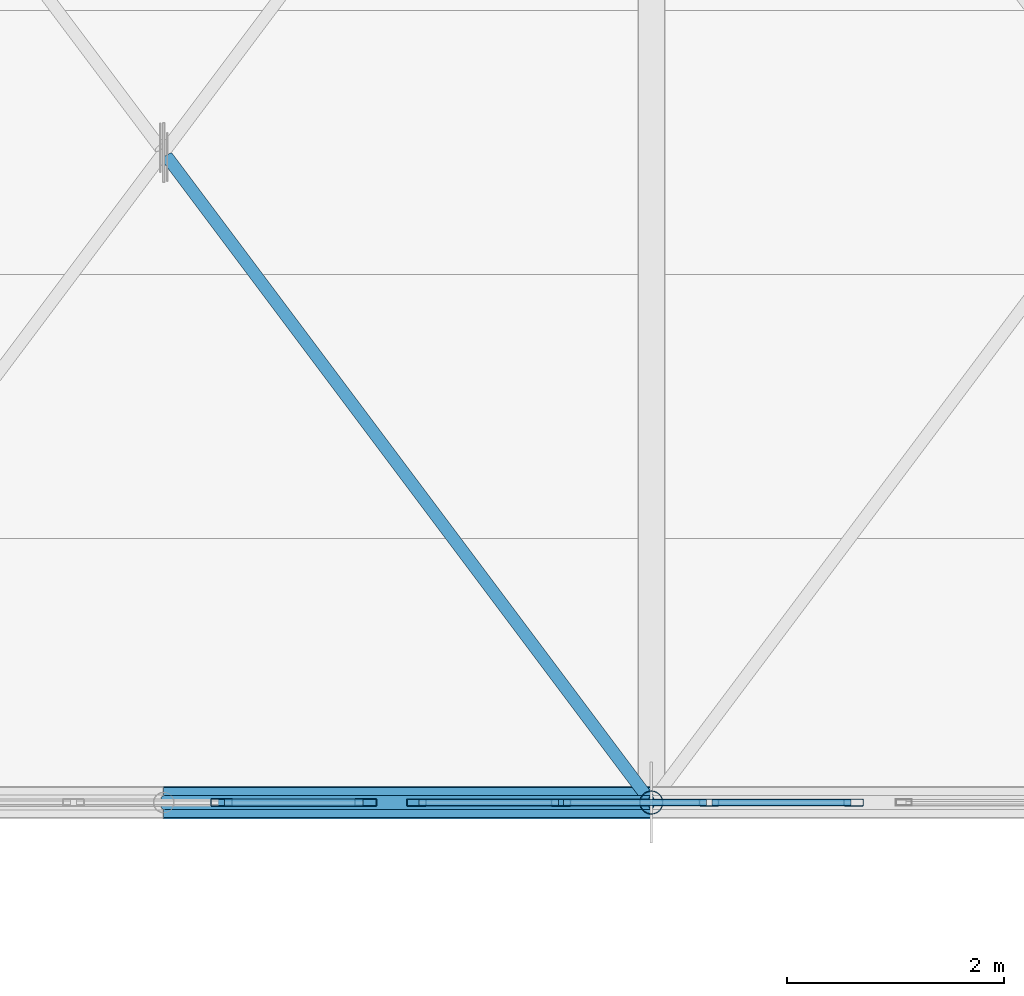
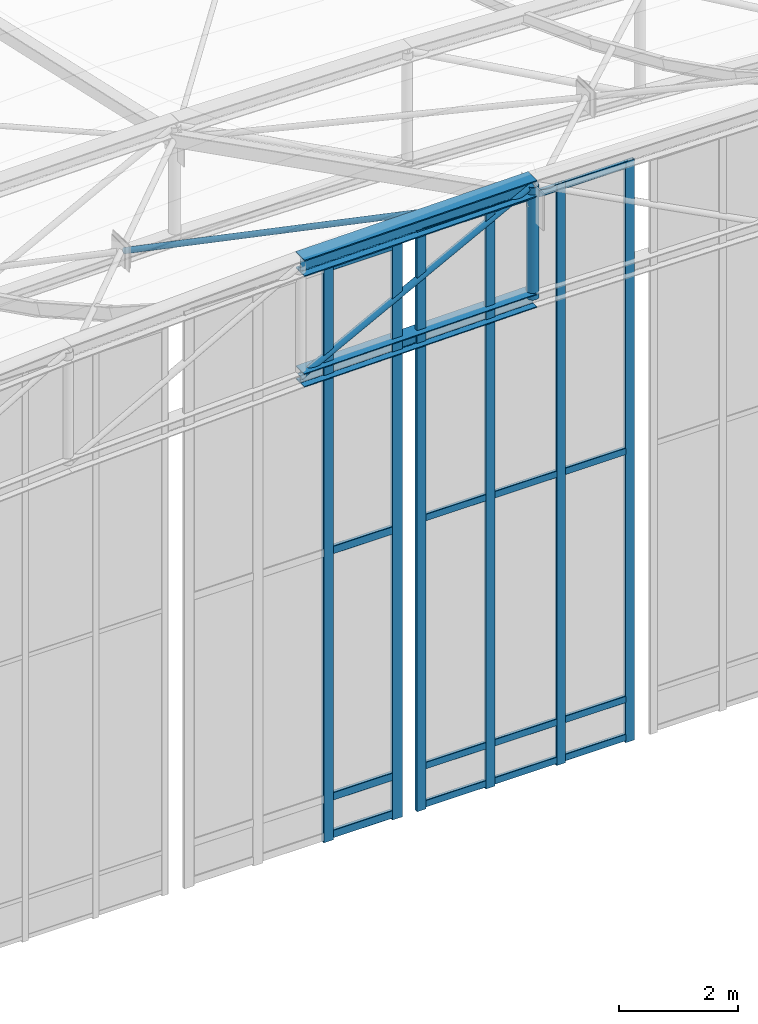
# One storey, part 56 of 262: 27 members, 2 elements without a shape of their own.
"""IFC4 building model written with IfcOpenShell, lengths in metres."""

from ifc_helpers import new_model, si_unit, derived_unit, direction, frame, origin, origin_2d, place, context, subcontext, project, spatial, hollow_rectangle, hollow_circle, i_section, extrude, material, layer, layer_set, material_profile, profile_set, type_object, element, aggregate, save


model = new_model("IFC4")

# Units and contexts
model_context = context("Model", 3, precision=1e-05, world=origin(), true_north=direction((0.0, 1.0)))
body_context = subcontext(model_context, "Body", "Model", "MODEL_VIEW")
ifc_project = project(units=[si_unit("LENGTHUNIT", "METRE"), si_unit("AREAUNIT", "SQUARE_METRE"), si_unit("VOLUMEUNIT", "CUBIC_METRE"), si_unit("PLANEANGLEUNIT", "RADIAN"), si_unit("MASSUNIT", "GRAM", prefix="KILO"), derived_unit("THERMALTRANSMITTANCEUNIT", [(si_unit("POWERUNIT", "WATT"), 1), (si_unit("LENGTHUNIT", "METRE"), -2), (si_unit("THERMODYNAMICTEMPERATUREUNIT", "KELVIN"), -1)])], contexts=[model_context])

# Site, building, storey
site_placement = place(None, origin())
site = spatial("IfcSite", under=ifc_project, at=site_placement, CompositionType="ELEMENT")
building_placement = place(site_placement, origin())
building = spatial("IfcBuilding", under=site, at=building_placement, Name="Almenara Railside Exhibition Hall", CompositionType="ELEMENT")
storey_placement = place(building_placement, frame((0.0, 0.0, 21.699951171875)))
storey = spatial("IfcBuildingStorey", under=building, at=storey_placement, Name="RF", CompositionType="ELEMENT", Elevation=21.699951171875)

# Members
ifc_material_1 = material(Name="Structural steel S355JR", Category="steel")
ifc_material_profile_1 = material_profile(ifc_material_1, i_section(OverallWidth=0.280029296875, OverallDepth=0.280029296875, WebThickness=0.010498046875, FlangeThickness=0.01806640625, FilletRadius=0.02392578125, at=origin_2d()), Name="HEB 280")
ifc_profile_set_1 = profile_set([ifc_material_profile_1], Name="Structural steel S355JR")
member_type_1 = type_object("IfcMemberType", Name="Arched Gable Bottom Chord HEB 280 S355JR", PredefinedType="CHORD", material=ifc_profile_set_1)
member_1_placement = place(storey_placement, frame((34.5, 48.0, 8.739013671875), z_axis=(0.999908030213, 0.0, 0.013562120635), x_axis=(0.0, 1.0, 0.0)))
element("IfcMember", 1, at=member_1_placement, inside=storey, type_object=member_type_1, Name="MEM-BC-V1-00-05", PredefinedType="CHORD", context=body_context, shape_type="SweptSolid", body=[
    extrude(i_section(OverallWidth=0.280029296875, OverallDepth=0.280029296875, WebThickness=0.010498046875, FlangeThickness=0.01806640625, FilletRadius=0.02392578125, at=origin_2d()), origin(), (0.0, 0.0, 1.0), 4.50048828125),
])
ifc_material_profile_2 = material_profile(ifc_material_1, i_section(OverallWidth=0.300048828125, OverallDepth=0.340087890625, WebThickness=0.011962890625, FlangeThickness=0.021484375, FilletRadius=0.027099609375, at=origin_2d()), Name="HEB 340")
ifc_profile_set_2 = profile_set([ifc_material_profile_2], Name="Structural steel S355JR")
member_type_2 = type_object("IfcMemberType", Name="Arched Gable Top Chord HEB 340 S355JR", PredefinedType="CHORD", material=ifc_profile_set_2)
member_2_placement = place(storey_placement, frame((34.5, 48.0, 11.038818359375), z_axis=(0.999907293085, 0.0, 0.01361635908), x_axis=(0.0, 1.0, 0.0)))
element("IfcMember", 2, at=member_2_placement, inside=storey, type_object=member_type_2, Name="MEM-TC-V1-00-05", PredefinedType="CHORD", context=body_context, shape_type="SweptSolid", body=[
    extrude(i_section(OverallWidth=0.300048828125, OverallDepth=0.340087890625, WebThickness=0.011962890625, FlangeThickness=0.021484375, FilletRadius=0.027099609375, at=origin_2d()), origin(), (0.0, 0.0, 1.0), 4.50048828125),
])

# Curtain wall, members
ifc_material_2 = material(Name="Bronze-anodised aluminium and low-E double glazing", Category="aluminium")
ifc_layer = layer(ifc_material_2, 0.179931640625, Name="Bronze-anodised aluminium and low-E double glazing")
ifc_layer_set = layer_set([ifc_layer], Name="Bronze-anodised aluminium and low-E double glazing")
curtain_wall_type = type_object("IfcCurtainWallType", Name="Scroll Gable Tall Curtain Wall 3800x5400", PredefinedType="NOTDEFINED", material=ifc_layer_set)
curtain_wall_1_placement = place(storey_placement, origin())
curtain_wall_1 = element("IfcCurtainWall", 3, at=curtain_wall_1_placement, inside=storey, type_object=curtain_wall_type, Name="Curtain wall CW-G1-201", PredefinedType="NOTDEFINED")
ifc_material_3 = material(Name="Bronze-anodised aluminium", Category="aluminium")
ifc_material_profile_3 = material_profile(ifc_material_3, hollow_rectangle(XDim=0.06494140625, YDim=0.179931640625, WallThickness=0.00390625, InnerFilletRadius=0.00390625, OuterFilletRadius=0.008056640625, at=origin_2d()), Name="ALU-MUL 65x180x4")
ifc_profile_set_3 = profile_set([ifc_material_profile_3], Name="Bronze-anodised aluminium")
member_type_3 = type_object("IfcMemberType", Name="Curtain Wall Mullion 65x180x4", PredefinedType="MULLION", material=ifc_profile_set_3)
member_3_placement = place(storey_placement, frame((36.83251953125, 48.0, -0.93505859375), z_axis=(0.0, 0.0, 1.0), x_axis=(0.0, 1.0, 0.0)))
member_3 = element("IfcMember", 4, at=member_3_placement, type_object=member_type_3, Name="CW-G1-201 mullion 1", PredefinedType="MULLION", context=body_context, shape_type="SweptSolid", body=[
    extrude(hollow_rectangle(XDim=0.06494140625, YDim=0.179931640625, WallThickness=0.00390625, InnerFilletRadius=0.00390625, OuterFilletRadius=0.008056640625, at=origin_2d()), origin(), (0.0, 0.0, 1.0), 11.885009765625),
])
member_4_placement = place(storey_placement, frame((38.166748046875, 48.0, -0.93505859375), z_axis=(0.0, 0.0, 1.0), x_axis=(0.0, 1.0, 0.0)))
member_4 = element("IfcMember", 5, at=member_4_placement, type_object=member_type_3, Name="CW-G1-201 mullion 2", PredefinedType="MULLION", context=body_context, shape_type="SweptSolid", body=[
    extrude(hollow_rectangle(XDim=0.06494140625, YDim=0.179931640625, WallThickness=0.00390625, InnerFilletRadius=0.00390625, OuterFilletRadius=0.008056640625, at=origin_2d()), origin(), (0.0, 0.0, 1.0), 11.885009765625),
])
member_5_placement = place(storey_placement, frame((39.533447265625, 48.0, -0.93505859375), z_axis=(0.0, 0.0, 1.0), x_axis=(0.0, 1.0, 0.0)))
member_5 = element("IfcMember", 6, at=member_5_placement, type_object=member_type_3, Name="CW-G1-201 mullion 3", PredefinedType="MULLION", context=body_context, shape_type="SweptSolid", body=[
    extrude(hollow_rectangle(XDim=0.06494140625, YDim=0.179931640625, WallThickness=0.00390625, InnerFilletRadius=0.00390625, OuterFilletRadius=0.008056640625, at=origin_2d()), origin(), (0.0, 0.0, 1.0), 11.885009765625),
])
member_6_placement = place(storey_placement, frame((40.867431640625, 48.0, -0.93505859375), z_axis=(0.0, 0.0, 1.0), x_axis=(0.0, 1.0, 0.0)))
member_6 = element("IfcMember", 7, at=member_6_placement, type_object=member_type_3, Name="CW-G1-201 mullion 4", PredefinedType="MULLION", context=body_context, shape_type="SweptSolid", body=[
    extrude(hollow_rectangle(XDim=0.06494140625, YDim=0.179931640625, WallThickness=0.00390625, InnerFilletRadius=0.00390625, OuterFilletRadius=0.008056640625, at=origin_2d()), origin(), (0.0, 0.0, 1.0), 11.885009765625),
])

curtain_wall_2_placement = place(storey_placement, origin())
curtain_wall_2 = element("IfcCurtainWall", 8, at=curtain_wall_2_placement, inside=storey, type_object=curtain_wall_type, Name="Curtain wall CW-G1-200", PredefinedType="NOTDEFINED")
ifc_material_profile_4 = material_profile(ifc_material_3, hollow_rectangle(XDim=0.070068359375, YDim=0.199951171875, WallThickness=0.00439453125, InnerFilletRadius=0.00439453125, OuterFilletRadius=0.009033203125, at=origin_2d()), Name="ALU-MUL 70x200x4.5")
ifc_profile_set_4 = profile_set([ifc_material_profile_4], Name="Bronze-anodised aluminium")
member_type_4 = type_object("IfcMemberType", Name="Curtain Wall Mullion 70x200x4.5", PredefinedType="MULLION", material=ifc_profile_set_4)
member_7_placement = place(storey_placement, frame((35.033447265625, 48.0, -0.93505859375), z_axis=(0.0, 0.0, 1.0), x_axis=(0.0, 1.0, 0.0)))
member_7 = element("IfcMember", 9, at=member_7_placement, type_object=member_type_4, Name="CW-G1-200 mullion 3", PredefinedType="MULLION", context=body_context, shape_type="SweptSolid", body=[
    extrude(hollow_rectangle(XDim=0.070068359375, YDim=0.199951171875, WallThickness=0.00439453125, InnerFilletRadius=0.00439453125, OuterFilletRadius=0.009033203125, at=origin_2d()), origin(), (0.0, 0.0, 1.0), 11.815185546875),
])
member_8_placement = place(storey_placement, frame((36.364990234375, 48.0, -0.93505859375), z_axis=(0.0, 0.0, 1.0), x_axis=(0.0, 1.0, 0.0)))
member_8 = element("IfcMember", 10, at=member_8_placement, type_object=member_type_4, Name="CW-G1-200 mullion 4", PredefinedType="MULLION", context=body_context, shape_type="SweptSolid", body=[
    extrude(hollow_rectangle(XDim=0.070068359375, YDim=0.199951171875, WallThickness=0.00439453125, InnerFilletRadius=0.00439453125, OuterFilletRadius=0.009033203125, at=origin_2d()), origin(), (0.0, 0.0, 1.0), 11.815185546875),
])

# Member
ifc_material_profile_5 = material_profile(ifc_material_3, hollow_rectangle(XDim=0.06494140625, YDim=0.139892578125, WallThickness=0.00341796875, InnerFilletRadius=0.00341796875, OuterFilletRadius=0.007080078125, at=origin_2d()), Name="ALU-TRN 65x140x3.5")
ifc_profile_set_5 = profile_set([ifc_material_profile_5], Name="Bronze-anodised aluminium")
member_type_5 = type_object("IfcMemberType", Name="Curtain Wall Transom 65x140x3.5", PredefinedType="USERDEFINED", material=ifc_profile_set_5)
member_9_placement = place(storey_placement, frame((36.85693359375, 48.0, -0.829833984375), z_axis=(1.0, 0.0, 0.0), x_axis=(0.0, 1.0, 0.0)))
member_9 = element("IfcMember", 11, at=member_9_placement, type_object=member_type_5, Name="CW-G1-201 transom 1.1", ObjectType="TRANSOM", PredefinedType="USERDEFINED", context=body_context, shape_type="SweptSolid", body=[
    extrude(hollow_rectangle(XDim=0.06494140625, YDim=0.139892578125, WallThickness=0.00341796875, InnerFilletRadius=0.00341796875, OuterFilletRadius=0.007080078125, at=origin_2d()), origin(), (0.0, 0.0, 1.0), 1.28515625),
])

member_10_placement = place(storey_placement, frame((36.85693359375, 48.0, -0.050048828125), z_axis=(1.0, 0.0, 0.0), x_axis=(0.0, 1.0, 0.0)))
member_10 = element("IfcMember", 12, at=member_10_placement, type_object=member_type_5, Name="CW-G1-201 transom 1.2", ObjectType="TRANSOM", PredefinedType="USERDEFINED", context=body_context, shape_type="SweptSolid", body=[
    extrude(hollow_rectangle(XDim=0.06494140625, YDim=0.139892578125, WallThickness=0.00341796875, InnerFilletRadius=0.00341796875, OuterFilletRadius=0.007080078125, at=origin_2d()), origin(), (0.0, 0.0, 1.0), 1.28515625),
])

member_11_placement = place(storey_placement, frame((36.85693359375, 48.0, 5.025146484375), z_axis=(1.0, 0.0, 0.0), x_axis=(0.0, 1.0, 0.0)))
member_11 = element("IfcMember", 13, at=member_11_placement, type_object=member_type_5, Name="CW-G1-201 transom 1.3", ObjectType="TRANSOM", PredefinedType="USERDEFINED", context=body_context, shape_type="SweptSolid", body=[
    extrude(hollow_rectangle(XDim=0.06494140625, YDim=0.139892578125, WallThickness=0.00341796875, InnerFilletRadius=0.00341796875, OuterFilletRadius=0.007080078125, at=origin_2d()), origin(), (0.0, 0.0, 1.0), 1.28515625),
])

member_12_placement = place(storey_placement, frame((36.85693359375, 48.0, 10.880126953125), z_axis=(1.0, 0.0, 0.0), x_axis=(0.0, 1.0, 0.0)))
member_12 = element("IfcMember", 14, at=member_12_placement, type_object=member_type_5, Name="CW-G1-201 transom 1.4", ObjectType="TRANSOM", PredefinedType="USERDEFINED", context=body_context, shape_type="SweptSolid", body=[
    extrude(hollow_rectangle(XDim=0.06494140625, YDim=0.139892578125, WallThickness=0.00341796875, InnerFilletRadius=0.00341796875, OuterFilletRadius=0.007080078125, at=origin_2d()), origin(), (0.0, 0.0, 1.0), 1.28515625),
])

member_13_placement = place(storey_placement, frame((38.191162109375, 48.0, -0.829833984375), z_axis=(1.0, 0.0, 0.0), x_axis=(0.0, 1.0, 0.0)))
member_13 = element("IfcMember", 15, at=member_13_placement, type_object=member_type_5, Name="CW-G1-201 transom 2.1", ObjectType="TRANSOM", PredefinedType="USERDEFINED", context=body_context, shape_type="SweptSolid", body=[
    extrude(hollow_rectangle(XDim=0.06494140625, YDim=0.139892578125, WallThickness=0.00341796875, InnerFilletRadius=0.00341796875, OuterFilletRadius=0.007080078125, at=origin_2d()), origin(), (0.0, 0.0, 1.0), 1.317626953125),
])

member_14_placement = place(storey_placement, frame((38.191162109375, 48.0, -0.050048828125), z_axis=(1.0, 0.0, 0.0), x_axis=(0.0, 1.0, 0.0)))
member_14 = element("IfcMember", 16, at=member_14_placement, type_object=member_type_5, Name="CW-G1-201 transom 2.2", ObjectType="TRANSOM", PredefinedType="USERDEFINED", context=body_context, shape_type="SweptSolid", body=[
    extrude(hollow_rectangle(XDim=0.06494140625, YDim=0.139892578125, WallThickness=0.00341796875, InnerFilletRadius=0.00341796875, OuterFilletRadius=0.007080078125, at=origin_2d()), origin(), (0.0, 0.0, 1.0), 1.317626953125),
])

member_15_placement = place(storey_placement, frame((38.191162109375, 48.0, 5.025146484375), z_axis=(1.0, 0.0, 0.0), x_axis=(0.0, 1.0, 0.0)))
member_15 = element("IfcMember", 17, at=member_15_placement, type_object=member_type_5, Name="CW-G1-201 transom 2.3", ObjectType="TRANSOM", PredefinedType="USERDEFINED", context=body_context, shape_type="SweptSolid", body=[
    extrude(hollow_rectangle(XDim=0.06494140625, YDim=0.139892578125, WallThickness=0.00341796875, InnerFilletRadius=0.00341796875, OuterFilletRadius=0.007080078125, at=origin_2d()), origin(), (0.0, 0.0, 1.0), 1.317626953125),
])

member_16_placement = place(storey_placement, frame((38.191162109375, 48.0, 10.880126953125), z_axis=(1.0, 0.0, 0.0), x_axis=(0.0, 1.0, 0.0)))
member_16 = element("IfcMember", 18, at=member_16_placement, type_object=member_type_5, Name="CW-G1-201 transom 2.4", ObjectType="TRANSOM", PredefinedType="USERDEFINED", context=body_context, shape_type="SweptSolid", body=[
    extrude(hollow_rectangle(XDim=0.06494140625, YDim=0.139892578125, WallThickness=0.00341796875, InnerFilletRadius=0.00341796875, OuterFilletRadius=0.007080078125, at=origin_2d()), origin(), (0.0, 0.0, 1.0), 1.317626953125),
])

member_17_placement = place(storey_placement, frame((39.557861328125, 48.0, -0.829833984375), z_axis=(1.0, 0.0, 0.0), x_axis=(0.0, 1.0, 0.0)))
member_17 = element("IfcMember", 19, at=member_17_placement, type_object=member_type_5, Name="CW-G1-201 transom 3.1", ObjectType="TRANSOM", PredefinedType="USERDEFINED", context=body_context, shape_type="SweptSolid", body=[
    extrude(hollow_rectangle(XDim=0.06494140625, YDim=0.139892578125, WallThickness=0.00341796875, InnerFilletRadius=0.00341796875, OuterFilletRadius=0.007080078125, at=origin_2d()), origin(), (0.0, 0.0, 1.0), 1.28515625),
])

member_18_placement = place(storey_placement, frame((39.557861328125, 48.0, -0.050048828125), z_axis=(1.0, 0.0, 0.0), x_axis=(0.0, 1.0, 0.0)))
member_18 = element("IfcMember", 20, at=member_18_placement, type_object=member_type_5, Name="CW-G1-201 transom 3.2", ObjectType="TRANSOM", PredefinedType="USERDEFINED", context=body_context, shape_type="SweptSolid", body=[
    extrude(hollow_rectangle(XDim=0.06494140625, YDim=0.139892578125, WallThickness=0.00341796875, InnerFilletRadius=0.00341796875, OuterFilletRadius=0.007080078125, at=origin_2d()), origin(), (0.0, 0.0, 1.0), 1.28515625),
])

member_19_placement = place(storey_placement, frame((39.557861328125, 48.0, 5.025146484375), z_axis=(1.0, 0.0, 0.0), x_axis=(0.0, 1.0, 0.0)))
member_19 = element("IfcMember", 21, at=member_19_placement, type_object=member_type_5, Name="CW-G1-201 transom 3.3", ObjectType="TRANSOM", PredefinedType="USERDEFINED", context=body_context, shape_type="SweptSolid", body=[
    extrude(hollow_rectangle(XDim=0.06494140625, YDim=0.139892578125, WallThickness=0.00341796875, InnerFilletRadius=0.00341796875, OuterFilletRadius=0.007080078125, at=origin_2d()), origin(), (0.0, 0.0, 1.0), 1.28515625),
])

member_20_placement = place(storey_placement, frame((39.557861328125, 48.0, 10.880126953125), z_axis=(1.0, 0.0, 0.0), x_axis=(0.0, 1.0, 0.0)))
member_20 = element("IfcMember", 22, at=member_20_placement, type_object=member_type_5, Name="CW-G1-201 transom 3.4", ObjectType="TRANSOM", PredefinedType="USERDEFINED", context=body_context, shape_type="SweptSolid", body=[
    extrude(hollow_rectangle(XDim=0.06494140625, YDim=0.139892578125, WallThickness=0.00341796875, InnerFilletRadius=0.00341796875, OuterFilletRadius=0.007080078125, at=origin_2d()), origin(), (0.0, 0.0, 1.0), 1.28515625),
])

aggregate(curtain_wall_1, [member_3, member_4, member_5, member_6, member_9, member_10, member_11, member_12, member_13, member_14, member_15, member_16, member_17, member_18, member_19, member_20])

ifc_material_profile_6 = material_profile(ifc_material_3, hollow_rectangle(XDim=0.070068359375, YDim=0.159912109375, WallThickness=0.00390625, InnerFilletRadius=0.00390625, OuterFilletRadius=0.008056640625, at=origin_2d()), Name="ALU-TRN 70x160x4")
ifc_profile_set_6 = profile_set([ifc_material_profile_6], Name="Bronze-anodised aluminium")
member_type_6 = type_object("IfcMemberType", Name="Curtain Wall Transom 70x160x4", PredefinedType="USERDEFINED", material=ifc_profile_set_6)
member_21_placement = place(storey_placement, frame((35.060302734375, 48.0, -0.820068359375), z_axis=(1.0, 0.0, 0.0), x_axis=(0.0, 1.0, 0.0)))
member_21 = element("IfcMember", 23, at=member_21_placement, type_object=member_type_6, Name="CW-G1-200 transom 3.1", ObjectType="TRANSOM", PredefinedType="USERDEFINED", context=body_context, shape_type="SweptSolid", body=[
    extrude(hollow_rectangle(XDim=0.070068359375, YDim=0.159912109375, WallThickness=0.00390625, InnerFilletRadius=0.00390625, OuterFilletRadius=0.008056640625, at=origin_2d()), origin(), (0.0, 0.0, 1.0), 1.277587890625),
])

member_22_placement = place(storey_placement, frame((35.060302734375, 48.0, -0.050048828125), z_axis=(1.0, 0.0, 0.0), x_axis=(0.0, 1.0, 0.0)))
member_22 = element("IfcMember", 24, at=member_22_placement, type_object=member_type_6, Name="CW-G1-200 transom 3.2", ObjectType="TRANSOM", PredefinedType="USERDEFINED", context=body_context, shape_type="SweptSolid", body=[
    extrude(hollow_rectangle(XDim=0.070068359375, YDim=0.159912109375, WallThickness=0.00390625, InnerFilletRadius=0.00390625, OuterFilletRadius=0.008056640625, at=origin_2d()), origin(), (0.0, 0.0, 1.0), 1.277587890625),
])

member_23_placement = place(storey_placement, frame((35.060302734375, 48.0, 4.989990234375), z_axis=(1.0, 0.0, 0.0), x_axis=(0.0, 1.0, 0.0)))
member_23 = element("IfcMember", 25, at=member_23_placement, type_object=member_type_6, Name="CW-G1-200 transom 3.3", ObjectType="TRANSOM", PredefinedType="USERDEFINED", context=body_context, shape_type="SweptSolid", body=[
    extrude(hollow_rectangle(XDim=0.070068359375, YDim=0.159912109375, WallThickness=0.00390625, InnerFilletRadius=0.00390625, OuterFilletRadius=0.008056640625, at=origin_2d()), origin(), (0.0, 0.0, 1.0), 1.277587890625),
])

member_24_placement = place(storey_placement, frame((35.060302734375, 48.0, 10.800048828125), z_axis=(1.0, 0.0, 0.0), x_axis=(0.0, 1.0, 0.0)))
member_24 = element("IfcMember", 26, at=member_24_placement, type_object=member_type_6, Name="CW-G1-200 transom 3.4", ObjectType="TRANSOM", PredefinedType="USERDEFINED", context=body_context, shape_type="SweptSolid", body=[
    extrude(hollow_rectangle(XDim=0.070068359375, YDim=0.159912109375, WallThickness=0.00390625, InnerFilletRadius=0.00390625, OuterFilletRadius=0.008056640625, at=origin_2d()), origin(), (0.0, 0.0, 1.0), 1.277587890625),
])

aggregate(curtain_wall_2, [member_7, member_8, member_21, member_22, member_23, member_24])

# Members
ifc_material_profile_7 = material_profile(ifc_material_1, hollow_circle(Radius=0.05712890625, WallThickness=0.00439453125, at=origin_2d()), Name="CHS 114.3x4.5")
ifc_profile_set_7 = profile_set([ifc_material_profile_7], Name="Structural steel S355JR")
member_type_7 = type_object("IfcMemberType", Name="Roof Wind Plan X-Brace CHS 114.3x4.5 S355JR", PredefinedType="BRACE", material=ifc_profile_set_7)
member_25_placement = place(storey_placement, frame((39.0, 48.0, 10.820068359375), z_axis=(-0.553161432882, 0.737518339861, -0.387400474368), x_axis=(-0.799988192385, -0.600015743163, 0.0)))
element("IfcMember", 27, at=member_25_placement, inside=storey, type_object=member_type_7, Name="MEM-WB-V1-WB-CHS114-00-04-S1", PredefinedType="BRACE", context=body_context, shape_type="SweptSolid", body=[
    extrude(hollow_circle(Radius=0.05712890625, WallThickness=0.00439453125, at=origin_2d()), origin(), (0.0, 0.0, 1.0), 8.07421875),
])
ifc_material_profile_8 = material_profile(ifc_material_1, hollow_circle(Radius=0.0634765625, WallThickness=0.00439453125, at=origin_2d()), Name="CHS 127.0x4.5")
ifc_profile_set_8 = profile_set([ifc_material_profile_8], Name="Structural steel S355JR")
member_type_8 = type_object("IfcMemberType", Name="Truss Crown Diagonal CHS 127.0x4.5 S355JR", PredefinedType="BRACE", material=ifc_profile_set_8)
member_26_placement = place(storey_placement, frame((34.5, 48.0, 8.739013671875), z_axis=(0.885512555589, 0.0, 0.464615447326), x_axis=(0.0, 1.0, 0.0)))
element("IfcMember", 28, at=member_26_placement, inside=storey, type_object=member_type_8, Name="MEM-TD-V1-00-05", PredefinedType="BRACE", context=body_context, shape_type="SweptSolid", body=[
    extrude(hollow_circle(Radius=0.0634765625, WallThickness=0.00439453125, at=origin_2d()), origin(), (0.0, 0.0, 1.0), 5.081787109375),
])
ifc_material_profile_9 = material_profile(ifc_material_1, hollow_circle(Radius=0.109619140625, WallThickness=0.008056640625, at=origin_2d()), Name="CHS 219.1x8")
ifc_profile_set_9 = profile_set([ifc_material_profile_9], Name="Structural steel S355JR")
member_type_9 = type_object("IfcMemberType", Name="Truss Primary Vertical Strut CHS 219.1x8 S355JR", PredefinedType="BRACE", material=ifc_profile_set_9)
member_27_placement = place(storey_placement, frame((39.0, 48.0, 8.800048828125), z_axis=(0.0, 0.0, 1.0), x_axis=(1.0, 0.0, 0.0)))
element("IfcMember", 29, at=member_27_placement, inside=storey, type_object=member_type_9, Name="MEM-TV-V1-00-06", PredefinedType="BRACE", context=body_context, shape_type="SweptSolid", body=[
    extrude(hollow_circle(Radius=0.109619140625, WallThickness=0.008056640625, at=origin_2d()), origin(), (0.0, 0.0, 1.0), 2.300048828125),
])

save(model, "model.ifc")
